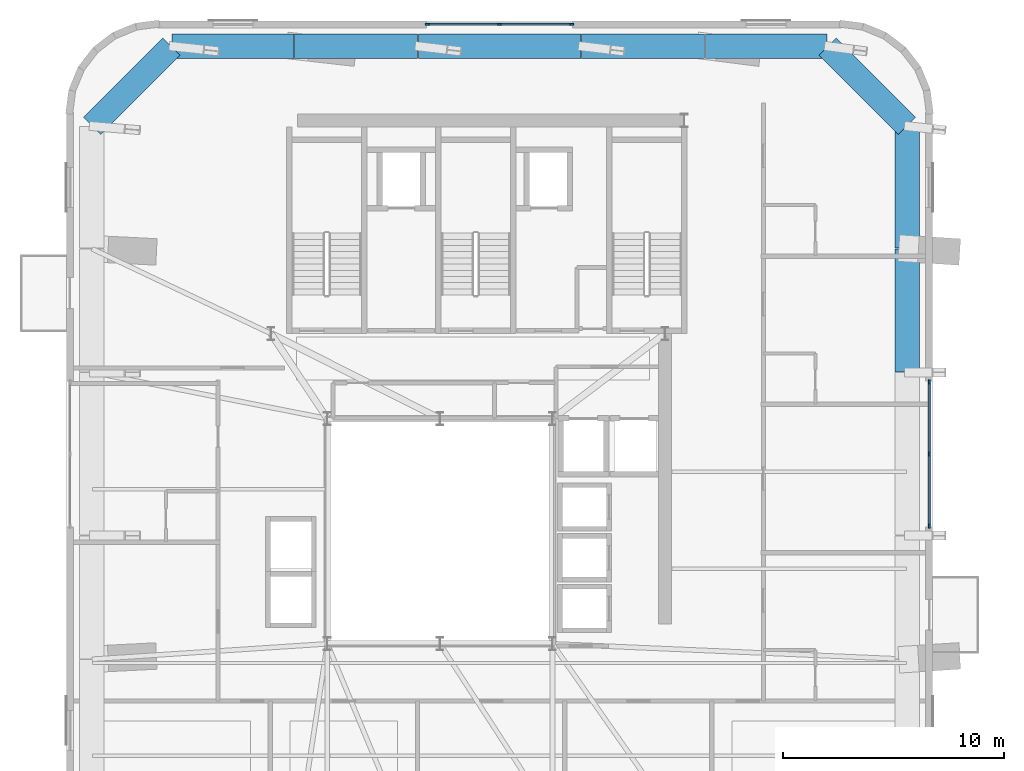
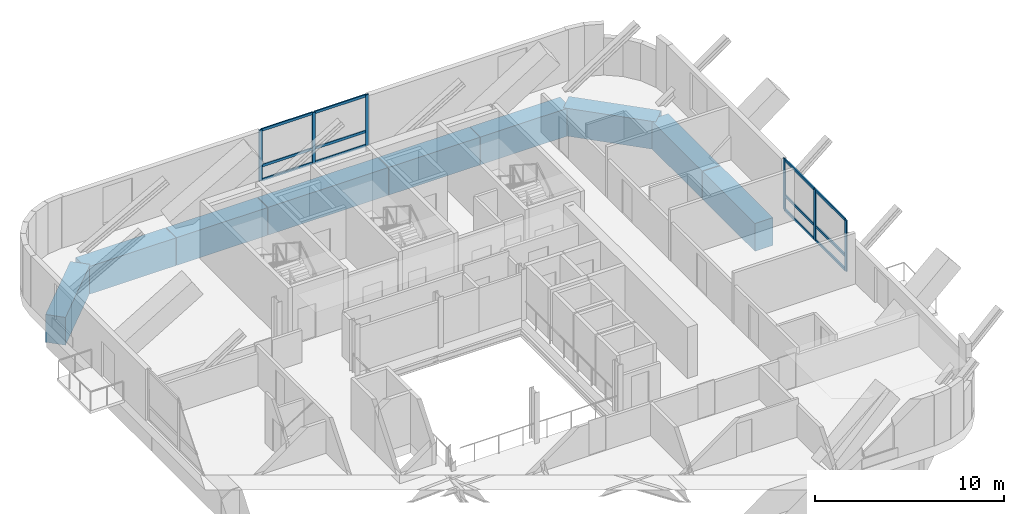
# One storey, part 4 of 12: 18 members, 9 beams, 2 elements without a shape of their own.
"""IFC4 building model written with IfcOpenShell, lengths in metres."""

from ifc_helpers import new_model, si_unit, direction, frame, origin, origin_2d, place, context, subcontext, project, spatial, rectangle, extrude, source, transform, mapped, material, material_profile, profile_set, type_object, element, aggregate, save


model = new_model("IFC4")

# Units and contexts
model_context = context("Model", 3, precision=1e-05, world=origin(), true_north=direction((0.0, 1.0)))
body_context = subcontext(model_context, "Body", "Model", "MODEL_VIEW")
ifc_project = project(units=[si_unit("LENGTHUNIT", "METRE"), si_unit("AREAUNIT", "SQUARE_METRE"), si_unit("VOLUMEUNIT", "CUBIC_METRE"), si_unit("PLANEANGLEUNIT", "RADIAN"), si_unit("MASSUNIT", "GRAM", prefix="KILO")], contexts=[model_context])

# Site, building, storey
site_placement = place(None, origin())
site = spatial("IfcSite", under=ifc_project, at=site_placement, CompositionType="ELEMENT")
building_placement = place(site_placement, origin())
building = spatial("IfcBuilding", under=site, at=building_placement, Name="Vardaveli Station Tower", CompositionType="ELEMENT")
storey_placement = place(building_placement, frame((0.0, 0.0, 282.199951171875)))
storey = spatial("IfcBuildingStorey", under=building, at=storey_placement, Name="L72", CompositionType="ELEMENT", Elevation=282.199951171875)

# Beams
ifc_material_1 = material(Name="Concrete C60/75", Category="concrete")
ifc_material_profile_1 = material_profile(ifc_material_1, rectangle(XDim=1.10009765625, YDim=1.800048828125, at=origin_2d()), Name="TG 1100x1800")
ifc_profile_set_1 = profile_set([ifc_material_profile_1], Name="Concrete C60/75")
beam_type = type_object("IfcBeamType", Name="BM-TG-1800", PredefinedType="BEAM", material=ifc_profile_set_1)
shared_shape_1 = source(origin(), body_context, "Body", "SweptSolid", [
    extrude(rectangle(XDim=1.10009765625, YDim=1.800048828125, at=origin_2d()), origin(), (0.0, 0.0, 1.0), 5.56005859375),
])
for number, where, z_axis, x_axis, name in (
    (1, (57.469970703125, 28.919921875, -1.550048828125), (0.0, 1.0, 0.0), (-1.0, 0.0, 0.0), "RBM-L72-09"),
    (2, (48.280029296875, 43.669921875, -1.550048828125), (-1.0, 0.0, 0.0), (0.0, -1.0, 0.0), "RBM-L72-13"),
    (3, (35.280029296875, 43.669921875, -1.550048828125), (-1.0, 0.0, 0.0), (0.0, -1.0, 0.0), "RBM-L72-15"),
):
    element("IfcBeam", number, at=place(storey_placement, frame(where, z_axis=z_axis, x_axis=x_axis)), inside=storey, type_object=beam_type, Name=name, PredefinedType="BEAM", context=body_context, shape_type="MappedRepresentation", body=[
        mapped(shared_shape_1, transform((0.0, 0.0, 0.0), scale=1.0)),
    ])
shared_shape_2 = source(origin(), body_context, "Body", "SweptSolid", [
    extrude(rectangle(XDim=1.10009765625, YDim=1.800048828125, at=origin_2d()), origin(), (0.0, 0.0, 1.0), 7.35986328125),
])
beam_placement = place(storey_placement, frame((42.679931640625, 43.669921875, -1.550048828125), z_axis=(-1.0, 0.0, 0.0), x_axis=(0.0, -1.0, 0.0)))
element("IfcBeam", 4, at=beam_placement, inside=storey, type_object=beam_type, Name="RBM-L72-14", PredefinedType="BEAM", context=body_context, shape_type="MappedRepresentation", body=[
    mapped(shared_shape_2, transform((0.0, 0.0, 0.0), scale=1.0)),
])
shared_shape_3 = source(origin(), body_context, "Body", "SweptSolid", [
    extrude(rectangle(XDim=1.10009765625, YDim=1.800048828125, at=origin_2d()), origin(), (0.0, 0.0, 1.0), 5.510009765625),
])
for number, where, z_axis, x_axis, name in (
    (5, (57.469970703125, 34.52001953125, -1.550048828125), (0.0, 1.0, 0.0), (-1.0, 0.0, 0.0), "RBM-L72-10"),
    (6, (53.830078125, 43.669921875, -1.550048828125), (-1.0, 0.0, 0.0), (0.0, -1.0, 0.0), "RBM-L72-12"),
    (7, (29.679931640625, 43.669921875, -1.550048828125), (-1.0, 0.0, 0.0), (0.0, -1.0, 0.0), "RBM-L72-16"),
):
    element("IfcBeam", number, at=place(storey_placement, frame(where, z_axis=z_axis, x_axis=x_axis)), inside=storey, type_object=beam_type, Name=name, PredefinedType="BEAM", context=body_context, shape_type="MappedRepresentation", body=[
        mapped(shared_shape_3, transform((0.0, 0.0, 0.0), scale=1.0)),
    ])
shared_shape_4 = source(origin(), body_context, "Body", "SweptSolid", [
    extrude(rectangle(XDim=1.10009765625, YDim=1.800048828125, at=origin_2d()), origin(), (0.0, 0.0, 1.0), 5.0791015625),
])
for number, where, z_axis, x_axis, name in (
    (8, (57.455810546875, 40.064208984375, -1.550048828125), (-0.707106781187, 0.707106781187, 0.0), (-0.707106781187, -0.707106781187, 0.0), "RBM-L72-11"),
    (9, (24.1357421875, 43.65576171875, -1.550048828125), (-0.707106781187, -0.707106781187, 0.0), (0.707106781187, -0.707106781187, 0.0), "RBM-L72-17"),
):
    element("IfcBeam", number, at=place(storey_placement, frame(where, z_axis=z_axis, x_axis=x_axis)), inside=storey, type_object=beam_type, Name=name, PredefinedType="BEAM", context=body_context, shape_type="MappedRepresentation", body=[
        mapped(shared_shape_4, transform((0.0, 0.0, 0.0), scale=1.0)),
    ])

# Curtain wall, members
ifc_material_2 = material(Name="Travertine stone and solar-control glass", Category="masonry")
curtain_wall_type = type_object("IfcCurtainWallType", Name="CW-SYS-5", PredefinedType="NOTDEFINED", material=ifc_material_2)
curtain_wall_1_placement = place(storey_placement, origin())
curtain_wall_1 = element("IfcCurtainWall", 10, at=curtain_wall_1_placement, inside=storey, type_object=curtain_wall_type, Name="CW-L72-N", PredefinedType="NOTDEFINED")
ifc_material_3 = material(Name="Anodised aluminium alloy 6063-T6", Category="aluminium")
ifc_material_profile_2 = material_profile(ifc_material_3, rectangle(XDim=0.080078125, YDim=0.1650390625, at=origin_2d()), Name="CWT 80x165")
ifc_profile_set_2 = profile_set([ifc_material_profile_2], Name="Anodised aluminium alloy 6063-T6")
member_type_1 = type_object("IfcMemberType", Name="CW-SYS-5-TRAN", PredefinedType="NOTDEFINED", material=ifc_profile_set_2)
shared_shape_5 = source(origin(), body_context, "Body", "SweptSolid", [
    extrude(rectangle(XDim=0.080078125, YDim=0.1650390625, at=origin_2d()), origin(), (0.0, 0.0, 1.0), 3.179931640625),
])
member_1_placement = place(storey_placement, frame((42.219970703125, 44.659912109375, 0.0400390625), z_axis=(-1.0, 0.0, 0.0), x_axis=(0.0, -1.0, 0.0)))
member_1 = element("IfcMember", 11, at=member_1_placement, type_object=member_type_1, Name="CW-5 transom 1.1", ObjectType="TRANSOM", PredefinedType="USERDEFINED", context=body_context, shape_type="MappedRepresentation", body=[
    mapped(shared_shape_5, transform((0.0, 0.0, 0.0), scale=1.0)),
])
member_2_placement = place(storey_placement, frame((42.219970703125, 44.659912109375, 0.949951171875), z_axis=(-1.0, 0.0, 0.0), x_axis=(0.0, -1.0, 0.0)))
member_2 = element("IfcMember", 12, at=member_2_placement, type_object=member_type_1, Name="CW-5 transom 1.2", ObjectType="TRANSOM", PredefinedType="USERDEFINED", context=body_context, shape_type="MappedRepresentation", body=[
    mapped(shared_shape_5, transform((0.0, 0.0, 0.0), scale=1.0)),
])
member_3_placement = place(storey_placement, frame((42.219970703125, 44.659912109375, 3.260009765625), z_axis=(-1.0, 0.0, 0.0), x_axis=(0.0, -1.0, 0.0)))
member_3 = element("IfcMember", 13, at=member_3_placement, type_object=member_type_1, Name="CW-5 transom 1.3", ObjectType="TRANSOM", PredefinedType="USERDEFINED", context=body_context, shape_type="MappedRepresentation", body=[
    mapped(shared_shape_5, transform((0.0, 0.0, 0.0), scale=1.0)),
])
member_4_placement = place(storey_placement, frame((38.9599609375, 44.659912109375, 0.0400390625), z_axis=(-1.0, 0.0, 0.0), x_axis=(0.0, -1.0, 0.0)))
member_4 = element("IfcMember", 14, at=member_4_placement, type_object=member_type_1, Name="CW-5 transom 2.1", ObjectType="TRANSOM", PredefinedType="USERDEFINED", context=body_context, shape_type="MappedRepresentation", body=[
    mapped(shared_shape_5, transform((0.0, 0.0, 0.0), scale=1.0)),
])
member_5_placement = place(storey_placement, frame((38.9599609375, 44.659912109375, 0.949951171875), z_axis=(-1.0, 0.0, 0.0), x_axis=(0.0, -1.0, 0.0)))
member_5 = element("IfcMember", 15, at=member_5_placement, type_object=member_type_1, Name="CW-5 transom 2.2", ObjectType="TRANSOM", PredefinedType="USERDEFINED", context=body_context, shape_type="MappedRepresentation", body=[
    mapped(shared_shape_5, transform((0.0, 0.0, 0.0), scale=1.0)),
])
member_6_placement = place(storey_placement, frame((38.9599609375, 44.659912109375, 3.260009765625), z_axis=(-1.0, 0.0, 0.0), x_axis=(0.0, -1.0, 0.0)))
member_6 = element("IfcMember", 16, at=member_6_placement, type_object=member_type_1, Name="CW-5 transom 2.3", ObjectType="TRANSOM", PredefinedType="USERDEFINED", context=body_context, shape_type="MappedRepresentation", body=[
    mapped(shared_shape_5, transform((0.0, 0.0, 0.0), scale=1.0)),
])

curtain_wall_2_placement = place(storey_placement, origin())
curtain_wall_2 = element("IfcCurtainWall", 17, at=curtain_wall_2_placement, inside=storey, type_object=curtain_wall_type, Name="CW-L72-E", PredefinedType="NOTDEFINED")
member_7_placement = place(storey_placement, frame((58.4599609375, 21.97998046875, 0.0400390625), z_axis=(0.0, 1.0, 0.0), x_axis=(-1.0, 0.0, 0.0)))
member_7 = element("IfcMember", 18, at=member_7_placement, type_object=member_type_1, Name="CW-5 transom 1.1", ObjectType="TRANSOM", PredefinedType="USERDEFINED", context=body_context, shape_type="MappedRepresentation", body=[
    mapped(shared_shape_5, transform((0.0, 0.0, 0.0), scale=1.0)),
])
member_8_placement = place(storey_placement, frame((58.4599609375, 21.97998046875, 0.949951171875), z_axis=(0.0, 1.0, 0.0), x_axis=(-1.0, 0.0, 0.0)))
member_8 = element("IfcMember", 19, at=member_8_placement, type_object=member_type_1, Name="CW-5 transom 1.2", ObjectType="TRANSOM", PredefinedType="USERDEFINED", context=body_context, shape_type="MappedRepresentation", body=[
    mapped(shared_shape_5, transform((0.0, 0.0, 0.0), scale=1.0)),
])
member_9_placement = place(storey_placement, frame((58.4599609375, 21.97998046875, 3.260009765625), z_axis=(0.0, 1.0, 0.0), x_axis=(-1.0, 0.0, 0.0)))
member_9 = element("IfcMember", 20, at=member_9_placement, type_object=member_type_1, Name="CW-5 transom 1.3", ObjectType="TRANSOM", PredefinedType="USERDEFINED", context=body_context, shape_type="MappedRepresentation", body=[
    mapped(shared_shape_5, transform((0.0, 0.0, 0.0), scale=1.0)),
])
member_10_placement = place(storey_placement, frame((58.4599609375, 25.239990234375, 0.0400390625), z_axis=(0.0, 1.0, 0.0), x_axis=(-1.0, 0.0, 0.0)))
member_10 = element("IfcMember", 21, at=member_10_placement, type_object=member_type_1, Name="CW-5 transom 2.1", ObjectType="TRANSOM", PredefinedType="USERDEFINED", context=body_context, shape_type="MappedRepresentation", body=[
    mapped(shared_shape_5, transform((0.0, 0.0, 0.0), scale=1.0)),
])
member_11_placement = place(storey_placement, frame((58.4599609375, 25.239990234375, 0.949951171875), z_axis=(0.0, 1.0, 0.0), x_axis=(-1.0, 0.0, 0.0)))
member_11 = element("IfcMember", 22, at=member_11_placement, type_object=member_type_1, Name="CW-5 transom 2.2", ObjectType="TRANSOM", PredefinedType="USERDEFINED", context=body_context, shape_type="MappedRepresentation", body=[
    mapped(shared_shape_5, transform((0.0, 0.0, 0.0), scale=1.0)),
])
member_12_placement = place(storey_placement, frame((58.4599609375, 25.239990234375, 3.260009765625), z_axis=(0.0, 1.0, 0.0), x_axis=(-1.0, 0.0, 0.0)))
member_12 = element("IfcMember", 23, at=member_12_placement, type_object=member_type_1, Name="CW-5 transom 2.3", ObjectType="TRANSOM", PredefinedType="USERDEFINED", context=body_context, shape_type="MappedRepresentation", body=[
    mapped(shared_shape_5, transform((0.0, 0.0, 0.0), scale=1.0)),
])

# Member
ifc_material_profile_3 = material_profile(ifc_material_3, rectangle(XDim=0.080078125, YDim=0.205078125, at=origin_2d()), Name="CWM 80x205")
ifc_profile_set_3 = profile_set([ifc_material_profile_3], Name="Anodised aluminium alloy 6063-T6")
member_type_2 = type_object("IfcMemberType", Name="CW-SYS-5-MULL", PredefinedType="MULLION", material=ifc_profile_set_3)
shared_shape_6 = source(origin(), body_context, "Body", "SweptSolid", [
    extrude(rectangle(XDim=0.080078125, YDim=0.205078125, at=origin_2d()), origin(), (0.0, 0.0, 1.0), 3.300048828125),
])
member_13_placement = place(storey_placement, frame((42.260009765625, 44.659912109375, 0.0), z_axis=(0.0, 0.0, 1.0), x_axis=(0.0, -1.0, 0.0)))
member_13 = element("IfcMember", 24, at=member_13_placement, type_object=member_type_2, Name="CW-5 mullion 1", PredefinedType="MULLION", context=body_context, shape_type="MappedRepresentation", body=[
    mapped(shared_shape_6, transform((0.0, 0.0, 0.0), scale=1.0)),
])

member_14_placement = place(storey_placement, frame((39.0, 44.659912109375, 0.0), z_axis=(0.0, 0.0, 1.0), x_axis=(0.0, -1.0, 0.0)))
member_14 = element("IfcMember", 25, at=member_14_placement, type_object=member_type_2, Name="CW-5 mullion 2", PredefinedType="MULLION", context=body_context, shape_type="MappedRepresentation", body=[
    mapped(shared_shape_6, transform((0.0, 0.0, 0.0), scale=1.0)),
])

member_15_placement = place(storey_placement, frame((35.739990234375, 44.659912109375, 0.0), z_axis=(0.0, 0.0, 1.0), x_axis=(0.0, -1.0, 0.0)))
member_15 = element("IfcMember", 26, at=member_15_placement, type_object=member_type_2, Name="CW-5 mullion 3", PredefinedType="MULLION", context=body_context, shape_type="MappedRepresentation", body=[
    mapped(shared_shape_6, transform((0.0, 0.0, 0.0), scale=1.0)),
])

aggregate(curtain_wall_1, [member_13, member_14, member_15, member_1, member_2, member_3, member_4, member_5, member_6])

member_16_placement = place(storey_placement, frame((58.4599609375, 21.93994140625, 0.0), z_axis=(0.0, 0.0, 1.0), x_axis=(-1.0, 0.0, 0.0)))
member_16 = element("IfcMember", 27, at=member_16_placement, type_object=member_type_2, Name="CW-5 mullion 1", PredefinedType="MULLION", context=body_context, shape_type="MappedRepresentation", body=[
    mapped(shared_shape_6, transform((0.0, 0.0, 0.0), scale=1.0)),
])

member_17_placement = place(storey_placement, frame((58.4599609375, 25.199951171875, 0.0), z_axis=(0.0, 0.0, 1.0), x_axis=(-1.0, 0.0, 0.0)))
member_17 = element("IfcMember", 28, at=member_17_placement, type_object=member_type_2, Name="CW-5 mullion 2", PredefinedType="MULLION", context=body_context, shape_type="MappedRepresentation", body=[
    mapped(shared_shape_6, transform((0.0, 0.0, 0.0), scale=1.0)),
])

member_18_placement = place(storey_placement, frame((58.4599609375, 28.4599609375, 0.0), z_axis=(0.0, 0.0, 1.0), x_axis=(-1.0, 0.0, 0.0)))
member_18 = element("IfcMember", 29, at=member_18_placement, type_object=member_type_2, Name="CW-5 mullion 3", PredefinedType="MULLION", context=body_context, shape_type="MappedRepresentation", body=[
    mapped(shared_shape_6, transform((0.0, 0.0, 0.0), scale=1.0)),
])

aggregate(curtain_wall_2, [member_16, member_17, member_18, member_7, member_8, member_9, member_10, member_11, member_12])

save(model, "model.ifc")
